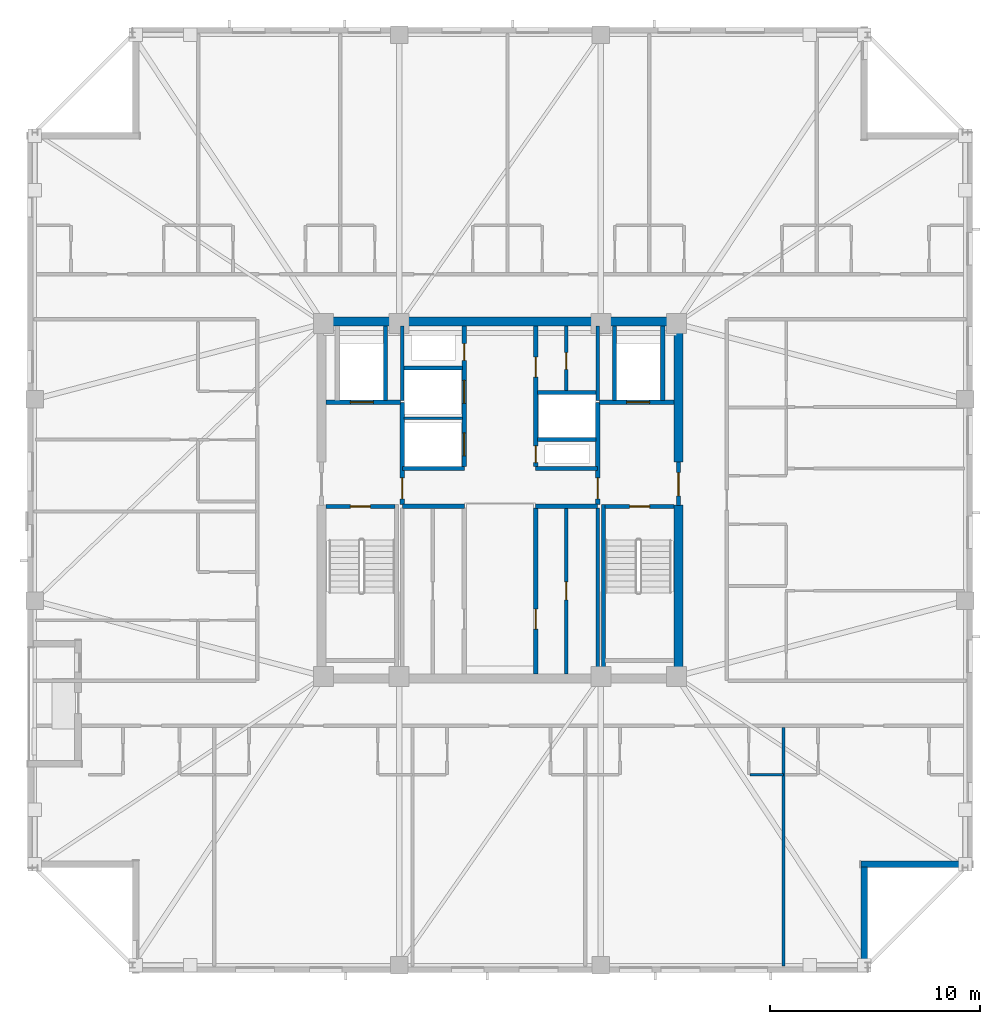
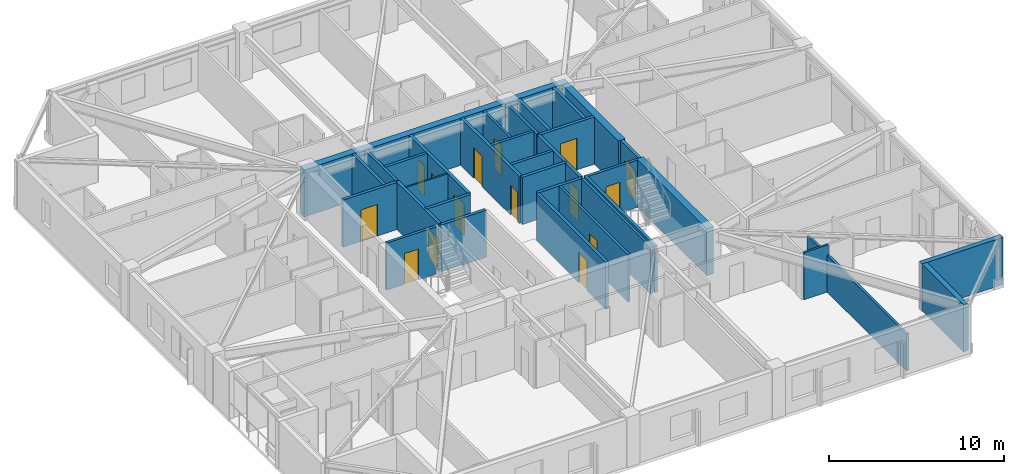
# One storey, part 9 of 17: 34 walls, 15 doors, 15 openings.
"""IFC4 building model written with IfcOpenShell, lengths in metres."""

from ifc_helpers import new_model, si_unit, direction, frame, frame_2d, origin, place, context, subcontext, project, spatial, rectangle, extrude, material, layer, layer_set, type_object, element, fill, save


model = new_model("IFC4")

# Units and contexts
model_context = context("Model", 3, precision=1e-05, world=origin(), true_north=direction((0.0, 1.0)))
body_context = subcontext(model_context, "Body", "Model", "MODEL_VIEW")
ifc_project = project(units=[si_unit("LENGTHUNIT", "METRE"), si_unit("AREAUNIT", "SQUARE_METRE"), si_unit("VOLUMEUNIT", "CUBIC_METRE"), si_unit("PLANEANGLEUNIT", "RADIAN"), si_unit("MASSUNIT", "GRAM", prefix="KILO")], contexts=[model_context])

# Site, building, storey
site_placement = place(None, origin())
site = spatial("IfcSite", under=ifc_project, at=site_placement, CompositionType="ELEMENT")
building_placement = place(site_placement, origin())
building = spatial("IfcBuilding", under=site, at=building_placement, Name="Cairnveth Concourse Tower", CompositionType="ELEMENT")
storey_placement = place(building_placement, frame((0.0, 0.0, 248.0)))
storey = spatial("IfcBuildingStorey", under=building, at=storey_placement, Name="L68", CompositionType="ELEMENT", Elevation=248.0)

# Wall
ifc_material_1 = material(Name="Gypsum Plasterboard Partition", Category="gypsum")
ifc_layer_1 = layer(ifc_material_1, 0.159912109375)
ifc_layer_set_1 = layer_set([ifc_layer_1], Name="Gypsum Plasterboard Partition")
wall_type_1 = type_object("IfcWallType", Name="ACOUSTIC PARTY WALL 180", PredefinedType="PARTITIONING", material=ifc_layer_set_1)
wall_1_placement = place(storey_placement, frame((56.64990234375, 30.7099609375, 0.0), z_axis=(0.0, 0.0, 1.0), x_axis=(0.0, 1.0, 0.0)))
element("IfcWall", 1, at=wall_1_placement, inside=storey, type_object=wall_type_1, Name="Interior Wall IW-L68-027", PredefinedType="PARTITIONING", context=body_context, shape_type="SweptSolid", body=[
    extrude(rectangle(XDim=7.905029296875, YDim=0.159912109375, at=frame_2d((3.95263671875, 0.0))), origin(), (0.0, 0.0, 1.0), 3.2900390625),
])

# Wall, opening, door
wall_2_placement = place(storey_placement, frame((55.14990234375, 30.7099609375, 0.0), z_axis=(0.0, 0.0, 1.0), x_axis=(0.0, 1.0, 0.0)))
wall_2 = element("IfcWall", 2, at=wall_2_placement, inside=storey, type_object=wall_type_1, Name="Interior Wall IW-L68-028", PredefinedType="PARTITIONING", context=body_context, shape_type="SweptSolid", body=[
    extrude(rectangle(XDim=7.905029296875, YDim=0.159912109375, at=frame_2d((3.95263671875, 0.0))), origin(), (0.0, 0.0, 1.0), 3.2900390625),
])
opening_1_placement = place(wall_2_placement, frame((3.5400390625, 0.0, 0.0)))
opening_1 = element("IfcOpeningElement", 3, at=opening_1_placement, cuts=wall_2, Name="Opening ID19", PredefinedType="OPENING", context=body_context, shape_type="SweptSolid", body=[
    extrude(rectangle(XDim=0.85009765625, YDim=2.1201171875, at=frame_2d((0.425048828125, 1.06005859375))), frame((0.0, 0.08984375, 0.0), z_axis=(0.0, -1.0, 0.0), x_axis=(1.0, 0.0, 0.0)), (0.0, 0.0, 1.0), 0.179931640625),
])
ifc_material_2 = material(Name="Steel Grade 350", Category="steel")
door_type_1 = type_object("IfcDoorType", Name="CORE SERVICE DOOR 850X2100", OperationType="NOTDEFINED", PredefinedType="DOOR", material=ifc_material_2)
door_1_placement = place(opening_1_placement, origin())
door_1 = element("IfcDoor", 4, at=door_1_placement, inside=storey, type_object=door_type_1, Name="Wine Cellar Door L68", OperationType="SINGLE_SWING_RIGHT", OverallHeight=2.1201171875, OverallWidth=0.85009765625, PredefinedType="DOOR", context=body_context, shape_type="SweptSolid", body=[
    extrude(rectangle(XDim=0.85009765625, YDim=2.1201171875, at=frame_2d((0.425048828125, 1.06005859375))), frame((0.0, 0.02490234375, 0.0), z_axis=(0.0, -1.0, 0.0), x_axis=(1.0, 0.0, 0.0)), (0.0, 0.0, 1.0), 0.050048828125),
])
fill(opening_1, door_1)

wall_3_placement = place(storey_placement, frame((55.14990234375, 44.195068359375, 0.0), z_axis=(0.0, 0.0, 1.0), x_axis=(0.0, 1.0, 0.0)))
wall_3 = element("IfcWall", 5, at=wall_3_placement, inside=storey, type_object=wall_type_1, Name="Interior Wall IW-L68-035", PredefinedType="PARTITIONING", context=body_context, shape_type="SweptSolid", body=[
    extrude(rectangle(XDim=3.094970703125, YDim=0.159912109375, at=frame_2d((1.54736328125, 0.0))), origin(), (0.0, 0.0, 1.0), 3.2900390625),
])
opening_2_placement = place(wall_3_placement, frame((1.02490234375, 0.0, 0.0)))
opening_2 = element("IfcOpeningElement", 6, at=opening_2_placement, cuts=wall_3, Name="Opening ID23", PredefinedType="OPENING", context=body_context, shape_type="SweptSolid", body=[
    extrude(rectangle(XDim=0.800048828125, YDim=2.10009765625, at=frame_2d((0.39990234375, 1.050048828125))), frame((0.0, 0.08984375, 0.0), z_axis=(0.0, -1.0, 0.0), x_axis=(1.0, 0.0, 0.0)), (0.0, 0.0, 1.0), 0.179931640625),
])
door_type_2 = type_object("IfcDoorType", Name="CORE SERVICE DOOR 800X2100", OperationType="NOTDEFINED", PredefinedType="DOOR", material=ifc_material_2)
door_2_placement = place(opening_2_placement, origin())
door_2 = element("IfcDoor", 7, at=door_2_placement, inside=storey, type_object=door_type_2, Name="NE Linen Closet Door L68", OperationType="SINGLE_SWING_RIGHT", OverallHeight=2.10009765625, OverallWidth=0.800048828125, PredefinedType="DOOR", context=body_context, shape_type="SweptSolid", body=[
    extrude(rectangle(XDim=0.800048828125, YDim=2.10009765625, at=frame_2d((0.39990234375, 1.050048828125))), frame((0.0, 0.02490234375, 0.0), z_axis=(0.0, -1.0, 0.0), x_axis=(1.0, 0.0, 0.0)), (0.0, 0.0, 1.0), 0.050048828125),
])
fill(opening_2, door_2)

# Walls
wall_4_placement = place(storey_placement, frame((65.49560546875, 16.804931640625, 0.0), z_axis=(0.0, 0.0, 1.0), x_axis=(0.0, 1.0, 0.0)))
element("IfcWall", 8, at=wall_4_placement, inside=storey, type_object=wall_type_1, Name="Interior Wall IW-L68-063", PredefinedType="PARTITIONING", context=body_context, shape_type="SweptSolid", body=[
    extrude(rectangle(XDim=11.36767578125, YDim=0.159912109375, at=frame_2d((5.683837890625, 0.0))), origin(), (0.0, 0.0, 1.0), 2.572998046875),
])
ifc_material_3 = material(Name="Concrete N65 (65 MPa)", Category="concrete")
ifc_layer_2 = layer(ifc_material_3, 0.449951171875)
ifc_layer_set_2 = layer_set([ifc_layer_2], Name="Concrete N65 (65 MPa)")
wall_type_2 = type_object("IfcWallType", Name="CORE SHEAR WALL 450", PredefinedType="SHEAR", material=ifc_layer_set_2)
wall_5_placement = place(storey_placement, frame((43.27490234375, 47.5, 0.0), z_axis=(0.0, 0.0, 1.0), x_axis=(1.0, 0.0, 0.0)))
element("IfcWall", 9, at=wall_5_placement, inside=storey, type_object=wall_type_2, Name="Core North Shear Wall L68", PredefinedType="SHEAR", context=body_context, shape_type="SweptSolid", body=[
    extrude(rectangle(XDim=17.4501953125, YDim=0.449951171875, at=frame_2d((8.72509765625, 0.0))), origin(), (0.0, 0.0, 1.0), 3.2900390625),
])
wall_6_placement = place(storey_placement, frame((60.5, 30.715087890625, 0.0), z_axis=(0.0, 0.0, 1.0), x_axis=(0.0, 1.0, 0.0)))
element("IfcWall", 10, at=wall_6_placement, inside=storey, type_object=wall_type_2, Name="Core East Shear Wall S L68", PredefinedType="SHEAR", context=body_context, shape_type="SweptSolid", body=[
    extrude(rectangle(XDim=8.034912109375, YDim=0.449951171875, at=frame_2d((4.017578125, 0.0))), origin(), (0.0, 0.0, 1.0), 3.2900390625),
])
wall_7_placement = place(storey_placement, frame((60.5, 40.800048828125, 0.0), z_axis=(0.0, 0.0, 1.0), x_axis=(0.0, 1.0, 0.0)))
element("IfcWall", 11, at=wall_7_placement, inside=storey, type_object=wall_type_2, Name="Core East Shear Wall N L68", PredefinedType="SHEAR", context=body_context, shape_type="SweptSolid", body=[
    extrude(rectangle(XDim=6.48486328125, YDim=0.449951171875, at=frame_2d((3.242431640625, 0.0))), origin(), (0.0, 0.0, 1.0), 3.2900390625),
])
ifc_material_4 = material(Name="Concrete N50 (50 MPa)", Category="concrete")
ifc_layer_3 = layer(ifc_material_4, 0.179931640625)
ifc_layer_set_3 = layer_set([ifc_layer_3], Name="Concrete N50 (50 MPa)")
wall_type_3 = type_object("IfcWallType", Name="FIRE SHAFT WALL 180", PredefinedType="SOLIDWALL", material=ifc_layer_set_3)
wall_8_placement = place(storey_placement, frame((47.35009765625, 43.735107421875, 0.0), z_axis=(0.0, 0.0, 1.0), x_axis=(0.0, 1.0, 0.0)))
element("IfcWall", 12, at=wall_8_placement, inside=storey, type_object=wall_type_3, Name="Interior Wall IW-L68-029", PredefinedType="SOLIDWALL", context=body_context, shape_type="SweptSolid", body=[
    extrude(rectangle(XDim=3.554931640625, YDim=0.179931640625, at=frame_2d((1.77734375, 0.0))), origin(), (0.0, 0.0, 1.0), 3.2900390625),
])
wall_9_placement = place(storey_placement, frame((47.425048828125, 45.280029296875, 0.0), z_axis=(0.0, 0.0, 1.0), x_axis=(1.0, 0.0, 0.0)))
element("IfcWall", 13, at=wall_9_placement, inside=storey, type_object=wall_type_3, Name="Interior Wall IW-L68-031", PredefinedType="SOLIDWALL", context=body_context, shape_type="SweptSolid", body=[
    extrude(rectangle(XDim=2.7900390625, YDim=0.179931640625, at=frame_2d((1.39501953125, 0.0))), origin(), (0.0, 0.0, 1.0), 3.2900390625),
])
wall_10_placement = place(storey_placement, frame((56.64990234375, 43.735107421875, 0.0), z_axis=(0.0, 0.0, 1.0), x_axis=(0.0, 1.0, 0.0)))
element("IfcWall", 14, at=wall_10_placement, inside=storey, type_object=wall_type_3, Name="Interior Wall IW-L68-032", PredefinedType="SOLIDWALL", context=body_context, shape_type="SweptSolid", body=[
    extrude(rectangle(XDim=3.554931640625, YDim=0.179931640625, at=frame_2d((1.77734375, 0.0))), origin(), (0.0, 0.0, 1.0), 3.2900390625),
])
wall_11_placement = place(storey_placement, frame((53.784912109375, 41.8798828125, 0.0), z_axis=(0.0, 0.0, 1.0), x_axis=(1.0, 0.0, 0.0)))
element("IfcWall", 15, at=wall_11_placement, inside=storey, type_object=wall_type_3, Name="Interior Wall IW-L68-033", PredefinedType="SOLIDWALL", context=body_context, shape_type="SweptSolid", body=[
    extrude(rectangle(XDim=2.780029296875, YDim=0.179931640625, at=frame_2d((1.39013671875, 0.0))), origin(), (0.0, 0.0, 1.0), 3.2900390625),
])
wall_12_placement = place(storey_placement, frame((53.784912109375, 44.1201171875, 0.0), z_axis=(0.0, 0.0, 1.0), x_axis=(1.0, 0.0, 0.0)))
element("IfcWall", 16, at=wall_12_placement, inside=storey, type_object=wall_type_3, Name="Interior Wall IW-L68-034", PredefinedType="SOLIDWALL", context=body_context, shape_type="SweptSolid", body=[
    extrude(rectangle(XDim=2.7900390625, YDim=0.179931640625, at=frame_2d((1.39501953125, 0.0))), origin(), (0.0, 0.0, 1.0), 3.2900390625),
])

# Wall, opening, door
wall_13_placement = place(storey_placement, frame((43.715087890625, 38.68994140625, 0.0), z_axis=(0.0, 0.0, 1.0), x_axis=(1.0, 0.0, 0.0)))
wall_13 = element("IfcWall", 17, at=wall_13_placement, inside=storey, type_object=wall_type_3, Name="Stair ST-1 Shaft Wall NEAR L68", PredefinedType="SOLIDWALL", context=body_context, shape_type="SweptSolid", body=[
    extrude(rectangle(XDim=3.280029296875, YDim=0.179931640625, at=frame_2d((1.64013671875, 0.0))), origin(), (0.0, 0.0, 1.0), 3.2900390625),
])
opening_3_placement = place(wall_13_placement, frame((1.1650390625, 0.0, 0.0)))
opening_3 = element("IfcOpeningElement", 18, at=opening_3_placement, cuts=wall_13, Name="Opening ID12", PredefinedType="OPENING", context=body_context, shape_type="SweptSolid", body=[
    extrude(rectangle(XDim=0.949951171875, YDim=2.14990234375, at=frame_2d((0.47509765625, 1.074951171875))), frame((0.0, 0.099853515625, 0.0), z_axis=(0.0, -1.0, 0.0), x_axis=(1.0, 0.0, 0.0)), (0.0, 0.0, 1.0), 0.199951171875),
])
door_type_3 = type_object("IfcDoorType", Name="FIRE STAIR DOOR 950X2150", OperationType="NOTDEFINED", PredefinedType="DOOR", material=ifc_material_2)
door_3_placement = place(opening_3_placement, origin())
door_3 = element("IfcDoor", 19, at=door_3_placement, inside=storey, type_object=door_type_3, Name="Stair ST-1 Fire Door L68", OperationType="SINGLE_SWING_LEFT", OverallHeight=2.14990234375, OverallWidth=0.949951171875, PredefinedType="DOOR", context=body_context, shape_type="SweptSolid", body=[
    extrude(rectangle(XDim=0.949951171875, YDim=2.14990234375, at=frame_2d((0.47509765625, 1.074951171875))), frame((0.0, 0.02490234375, 0.0), z_axis=(0.0, -1.0, 0.0), x_axis=(1.0, 0.0, 0.0)), (0.0, 0.0, 1.0), 0.050048828125),
])
fill(opening_3, door_3)

wall_14_placement = place(storey_placement, frame((57.0048828125, 38.68994140625, 0.0), z_axis=(0.0, 0.0, 1.0), x_axis=(1.0, 0.0, 0.0)))
wall_14 = element("IfcWall", 20, at=wall_14_placement, inside=storey, type_object=wall_type_3, Name="Stair ST-2 Shaft Wall NEAR L68", PredefinedType="SOLIDWALL", context=body_context, shape_type="SweptSolid", body=[
    extrude(rectangle(XDim=3.280029296875, YDim=0.179931640625, at=frame_2d((1.64013671875, 0.0))), origin(), (0.0, 0.0, 1.0), 3.2900390625),
])
opening_4_placement = place(wall_14_placement, frame((1.1650390625, 0.0, 0.0)))
opening_4 = element("IfcOpeningElement", 21, at=opening_4_placement, cuts=wall_14, Name="Opening ID12", PredefinedType="OPENING", context=body_context, shape_type="SweptSolid", body=[
    extrude(rectangle(XDim=0.949951171875, YDim=2.14990234375, at=frame_2d((0.47509765625, 1.074951171875))), frame((0.0, 0.099853515625, 0.0), z_axis=(0.0, -1.0, 0.0), x_axis=(1.0, 0.0, 0.0)), (0.0, 0.0, 1.0), 0.199951171875),
])
door_4_placement = place(opening_4_placement, origin())
door_4 = element("IfcDoor", 22, at=door_4_placement, inside=storey, type_object=door_type_3, Name="Stair ST-2 Fire Door L68", OperationType="SINGLE_SWING_RIGHT", OverallHeight=2.14990234375, OverallWidth=0.949951171875, PredefinedType="DOOR", context=body_context, shape_type="SweptSolid", body=[
    extrude(rectangle(XDim=0.949951171875, YDim=2.14990234375, at=frame_2d((0.47509765625, 1.074951171875))), frame((0.0, 0.02490234375, 0.0), z_axis=(0.0, -1.0, 0.0), x_axis=(1.0, 0.0, 0.0)), (0.0, 0.0, 1.0), 0.050048828125),
])
fill(opening_4, door_4)

# Walls
wall_15_placement = place(storey_placement, frame((56.929931640625, 38.780029296875, 0.0), z_axis=(0.0, 0.0, 1.0), x_axis=(0.0, -1.0, 0.0)))
element("IfcWall", 23, at=wall_15_placement, inside=storey, type_object=wall_type_3, Name="Stair ST-2 Shaft Wall LEFT L68", PredefinedType="SOLIDWALL", context=body_context, shape_type="SweptSolid", body=[
    extrude(rectangle(XDim=8.067138671875, YDim=0.179931640625, at=frame_2d((4.03369140625, 0.0))), origin(), (0.0, 0.0, 1.0), 3.2900390625),
])
ifc_layer_4 = layer(ifc_material_4, 0.199951171875)
ifc_layer_set_4 = layer_set([ifc_layer_4], Name="Concrete N50 (50 MPa)")
wall_type_4 = type_object("IfcWallType", Name="FIRE SHAFT WALL 200", PredefinedType="SOLIDWALL", material=ifc_layer_set_4)
for number, where, z_axis, x_axis, name in (
    (24, (47.35009765625, 38.699951171875, 0.0), (0.0, 0.0, 1.0), (1.0, 0.0, 0.0), "Interior Wall IW-L68-007"),
    (25, (47.35009765625, 40.5, 0.0), (0.0, 0.0, 1.0), (1.0, 0.0, 0.0), "Interior Wall IW-L68-008"),
    (26, (53.699951171875, 38.699951171875, 0.0), (0.0, 0.0, 1.0), (1.0, 0.0, 0.0), "Interior Wall IW-L68-009"),
    (27, (53.699951171875, 40.5, 0.0), (0.0, 0.0, 1.0), (1.0, 0.0, 0.0), "Interior Wall IW-L68-010"),
):
    element("IfcWall", number, at=place(storey_placement, frame(where, z_axis=z_axis, x_axis=x_axis)), inside=storey, type_object=wall_type_4, Name=name, PredefinedType="SOLIDWALL", context=body_context, shape_type="SweptSolid", body=[
        extrude(rectangle(XDim=2.949951171875, YDim=0.199951171875, at=frame_2d((1.47509765625, 0.0))), origin(), (0.0, 0.0, 1.0), 3.2900390625),
    ])

# Wall, opening, door
wall_16_placement = place(storey_placement, frame((53.699951171875, 30.7099609375, 0.0), z_axis=(0.0, 0.0, 1.0), x_axis=(0.0, 1.0, 0.0)))
wall_16 = element("IfcWall", 28, at=wall_16_placement, inside=storey, type_object=wall_type_4, Name="Interior Wall IW-L68-012", PredefinedType="SOLIDWALL", context=body_context, shape_type="SweptSolid", body=[
    extrude(rectangle(XDim=7.905029296875, YDim=0.199951171875, at=frame_2d((3.95263671875, 0.0))), origin(), (0.0, 0.0, 1.0), 3.2900390625),
])
opening_5_placement = place(wall_16_placement, frame((2.139892578125, 0.0, 0.0)))
opening_5 = element("IfcOpeningElement", 29, at=opening_5_placement, cuts=wall_16, Name="Opening ID25", PredefinedType="OPENING", context=body_context, shape_type="SweptSolid", body=[
    extrude(rectangle(XDim=0.949951171875, YDim=2.1201171875, at=frame_2d((0.47509765625, 1.06005859375))), frame((0.0, 0.10986328125, 0.0), z_axis=(0.0, -1.0, 0.0), x_axis=(1.0, 0.0, 0.0)), (0.0, 0.0, 1.0), 0.219970703125),
])
door_type_4 = type_object("IfcDoorType", Name="CORE ACCESSIBLE FIRE DOOR 950X2120", OperationType="NOTDEFINED", PredefinedType="DOOR", material=ifc_material_2)
door_5_placement = place(opening_5_placement, origin())
door_5 = element("IfcDoor", 30, at=door_5_placement, inside=storey, type_object=door_type_4, Name="Sky Restroom Door L68", OperationType="SINGLE_SWING_LEFT", OverallHeight=2.1201171875, OverallWidth=0.949951171875, PredefinedType="DOOR", context=body_context, shape_type="SweptSolid", body=[
    extrude(rectangle(XDim=0.949951171875, YDim=2.1201171875, at=frame_2d((0.47509765625, 1.06005859375))), frame((0.0, 0.02490234375, 0.0), z_axis=(0.0, -1.0, 0.0), x_axis=(1.0, 0.0, 0.0)), (0.0, 0.0, 1.0), 0.050048828125),
])
fill(opening_5, door_5)

# Wall, openings, doors
wall_17_placement = place(storey_placement, frame((50.300048828125, 40.5849609375, 0.0), z_axis=(0.0, 0.0, 1.0), x_axis=(0.0, 1.0, 0.0)))
wall_17 = element("IfcWall", 31, at=wall_17_placement, inside=storey, type_object=wall_type_4, Name="Interior Wall IW-L68-013", PredefinedType="SOLIDWALL", context=body_context, shape_type="SweptSolid", body=[
    extrude(rectangle(XDim=6.705078125, YDim=0.199951171875, at=frame_2d((3.3525390625, 0.0))), origin(), (0.0, 0.0, 1.0), 3.2900390625),
])
opening_6_placement = place(wall_17_placement, frame((0.514892578125, 0.0, 0.0)))
opening_6 = element("IfcOpeningElement", 32, at=opening_6_placement, cuts=wall_17, Name="Opening LD-1", PredefinedType="OPENING", context=body_context, shape_type="SweptSolid", body=[
    extrude(rectangle(XDim=1.10009765625, YDim=2.199951171875, at=frame_2d((0.550048828125, 1.10009765625))), frame((0.0, 0.10986328125, 0.0), z_axis=(0.0, -1.0, 0.0), x_axis=(1.0, 0.0, 0.0)), (0.0, 0.0, 1.0), 0.219970703125),
])
opening_7_placement = place(wall_17_placement, frame((3.014892578125, 0.0, 0.0)))
opening_7 = element("IfcOpeningElement", 33, at=opening_7_placement, cuts=wall_17, Name="Opening LD-1", PredefinedType="OPENING", context=body_context, shape_type="SweptSolid", body=[
    extrude(rectangle(XDim=1.10009765625, YDim=2.199951171875, at=frame_2d((0.550048828125, 1.10009765625))), frame((0.0, 0.10986328125, 0.0), z_axis=(0.0, -1.0, 0.0), x_axis=(1.0, 0.0, 0.0)), (0.0, 0.0, 1.0), 0.219970703125),
])
opening_8_placement = place(wall_17_placement, frame((5.06494140625, 0.0, 0.0)))
opening_8 = element("IfcOpeningElement", 34, at=opening_8_placement, cuts=wall_17, Name="Opening ID24", PredefinedType="OPENING", context=body_context, shape_type="SweptSolid", body=[
    extrude(rectangle(XDim=0.800048828125, YDim=2.080078125, at=frame_2d((0.39990234375, 1.0400390625))), frame((0.0, 0.10986328125, 0.0), z_axis=(0.0, -1.0, 0.0), x_axis=(1.0, 0.0, 0.0)), (0.0, 0.0, 1.0), 0.219970703125),
])
ifc_material_5 = material(Name="Architectural Bronze Anodised Aluminium 6063-T6", Category="aluminium")
door_type_5 = type_object("IfcDoorType", Name="LIFT LANDING DOOR 1100X2200", OperationType="SLIDING_TO_LEFT", PredefinedType="DOOR", material=ifc_material_5)
door_6_placement = place(opening_6_placement, origin())
door_6 = element("IfcDoor", 35, at=door_6_placement, inside=storey, type_object=door_type_5, Name="Lift PL7 Landing Door L68", OperationType="SLIDING_TO_LEFT", OverallHeight=2.199951171875, OverallWidth=1.10009765625, PredefinedType="DOOR", context=body_context, shape_type="SweptSolid", body=[
    extrude(rectangle(XDim=1.10009765625, YDim=2.199951171875, at=frame_2d((0.550048828125, 1.10009765625))), frame((0.0, 0.02490234375, 0.0), z_axis=(0.0, -1.0, 0.0), x_axis=(1.0, 0.0, 0.0)), (0.0, 0.0, 1.0), 0.050048828125),
])
fill(opening_6, door_6)
door_7_placement = place(opening_7_placement, origin())
door_7 = element("IfcDoor", 36, at=door_7_placement, inside=storey, type_object=door_type_5, Name="Lift PL8 Landing Door L68", OperationType="SLIDING_TO_LEFT", OverallHeight=2.199951171875, OverallWidth=1.10009765625, PredefinedType="DOOR", context=body_context, shape_type="SweptSolid", body=[
    extrude(rectangle(XDim=1.10009765625, YDim=2.199951171875, at=frame_2d((0.550048828125, 1.10009765625))), frame((0.0, 0.02490234375, 0.0), z_axis=(0.0, -1.0, 0.0), x_axis=(1.0, 0.0, 0.0)), (0.0, 0.0, 1.0), 0.050048828125),
])
fill(opening_7, door_7)
door_type_6 = type_object("IfcDoorType", Name="RISER ACCESS DOOR 800X2100", OperationType="NOTDEFINED", PredefinedType="DOOR", material=ifc_material_2)
door_8_placement = place(opening_8_placement, origin())
door_8 = element("IfcDoor", 37, at=door_8_placement, inside=storey, type_object=door_type_6, Name="NW Electrical Riser Access Door L68", OperationType="SINGLE_SWING_LEFT", OverallHeight=2.080078125, OverallWidth=0.800048828125, PredefinedType="DOOR", context=body_context, shape_type="SweptSolid", body=[
    extrude(rectangle(XDim=0.800048828125, YDim=2.080078125, at=frame_2d((0.39990234375, 1.0400390625))), frame((0.0, 0.02490234375, 0.0), z_axis=(0.0, -1.0, 0.0), x_axis=(1.0, 0.0, 0.0)), (0.0, 0.0, 1.0), 0.050048828125),
])
fill(opening_8, door_8)

wall_18_placement = place(storey_placement, frame((53.699951171875, 40.5849609375, 0.0), z_axis=(0.0, 0.0, 1.0), x_axis=(0.0, 1.0, 0.0)))
wall_18 = element("IfcWall", 38, at=wall_18_placement, inside=storey, type_object=wall_type_4, Name="Interior Wall IW-L68-014", PredefinedType="SOLIDWALL", context=body_context, shape_type="SweptSolid", body=[
    extrude(rectangle(XDim=6.705078125, YDim=0.199951171875, at=frame_2d((3.3525390625, 0.0))), origin(), (0.0, 0.0, 1.0), 3.2900390625),
])
opening_9_placement = place(wall_18_placement, frame((0.195068359375, 0.0, 0.0)))
opening_9 = element("IfcOpeningElement", 39, at=opening_9_placement, cuts=wall_18, Name="Opening ID24", PredefinedType="OPENING", context=body_context, shape_type="SweptSolid", body=[
    extrude(rectangle(XDim=0.800048828125, YDim=2.080078125, at=frame_2d((0.39990234375, 1.0400390625))), frame((0.0, 0.10986328125, 0.0), z_axis=(0.0, -1.0, 0.0), x_axis=(1.0, 0.0, 0.0)), (0.0, 0.0, 1.0), 0.219970703125),
])
opening_10_placement = place(wall_18_placement, frame((4.264892578125, 0.0, 0.0)))
opening_10 = element("IfcOpeningElement", 40, at=opening_10_placement, cuts=wall_18, Name="Opening ID25", PredefinedType="OPENING", context=body_context, shape_type="SweptSolid", body=[
    extrude(rectangle(XDim=0.949951171875, YDim=2.1201171875, at=frame_2d((0.47509765625, 1.06005859375))), frame((0.0, 0.10986328125, 0.0), z_axis=(0.0, -1.0, 0.0), x_axis=(1.0, 0.0, 0.0)), (0.0, 0.0, 1.0), 0.219970703125),
])
door_9_placement = place(opening_10_placement, origin())
door_9 = element("IfcDoor", 41, at=door_9_placement, inside=storey, type_object=door_type_4, Name="Core NE Restroom Door L68", OperationType="SINGLE_SWING_LEFT", OverallHeight=2.1201171875, OverallWidth=0.949951171875, PredefinedType="DOOR", context=body_context, shape_type="SweptSolid", body=[
    extrude(rectangle(XDim=0.949951171875, YDim=2.1201171875, at=frame_2d((0.47509765625, 1.06005859375))), frame((0.0, 0.02490234375, 0.0), z_axis=(0.0, -1.0, 0.0), x_axis=(1.0, 0.0, 0.0)), (0.0, 0.0, 1.0), 0.050048828125),
])
fill(opening_10, door_9)
door_10_placement = place(opening_9_placement, origin())
door_10 = element("IfcDoor", 42, at=door_10_placement, inside=storey, type_object=door_type_6, Name="Hydraulic Riser Door L68", OperationType="SINGLE_SWING_RIGHT", OverallHeight=2.080078125, OverallWidth=0.800048828125, PredefinedType="DOOR", context=body_context, shape_type="SweptSolid", body=[
    extrude(rectangle(XDim=0.800048828125, YDim=2.080078125, at=frame_2d((0.39990234375, 1.0400390625))), frame((0.0, 0.02490234375, 0.0), z_axis=(0.0, -1.0, 0.0), x_axis=(1.0, 0.0, 0.0)), (0.0, 0.0, 1.0), 0.050048828125),
])
fill(opening_9, door_10)

# Wall, opening, door
wall_19_placement = place(storey_placement, frame((47.35009765625, 38.784912109375, 0.0), z_axis=(0.0, 0.0, 1.0), x_axis=(0.0, 1.0, 0.0)))
wall_19 = element("IfcWall", 43, at=wall_19_placement, inside=storey, type_object=wall_type_4, Name="Interior Wall IW-L68-016", PredefinedType="SOLIDWALL", context=body_context, shape_type="SweptSolid", body=[
    extrude(rectangle(XDim=4.864990234375, YDim=0.199951171875, at=frame_2d((2.4326171875, 0.0))), origin(), (0.0, 0.0, 1.0), 3.2900390625),
])
opening_11_placement = place(wall_19_placement, frame((0.264892578125, 0.0, 0.0)))
opening_11 = element("IfcOpeningElement", 44, at=opening_11_placement, cuts=wall_19, Name="Opening ID07", PredefinedType="OPENING", context=body_context, shape_type="SweptSolid", body=[
    extrude(rectangle(XDim=1.0, YDim=2.14990234375, at=frame_2d((0.5, 1.074951171875))), frame((0.0, 0.10986328125, 0.0), z_axis=(0.0, -1.0, 0.0), x_axis=(1.0, 0.0, 0.0)), (0.0, 0.0, 1.0), 0.219970703125),
])
door_type_7 = type_object("IfcDoorType", Name="FIRE CORRIDOR DOOR 1000X2150", OperationType="NOTDEFINED", PredefinedType="DOOR", material=ifc_material_2)
door_11_placement = place(opening_11_placement, origin())
door_11 = element("IfcDoor", 45, at=door_11_placement, inside=storey, type_object=door_type_7, Name="FF Lobby West to Lift Lobby Door L68", OperationType="SINGLE_SWING_RIGHT", OverallHeight=2.14990234375, OverallWidth=1.0, PredefinedType="DOOR", context=body_context, shape_type="SweptSolid", body=[
    extrude(rectangle(XDim=1.0, YDim=2.14990234375, at=frame_2d((0.5, 1.074951171875))), frame((0.0, 0.02490234375, 0.0), z_axis=(0.0, -1.0, 0.0), x_axis=(1.0, 0.0, 0.0)), (0.0, 0.0, 1.0), 0.050048828125),
])
fill(opening_11, door_11)

wall_20_placement = place(storey_placement, frame((43.7099609375, 43.64990234375, 0.0), z_axis=(0.0, 0.0, 1.0), x_axis=(1.0, 0.0, 0.0)))
wall_20 = element("IfcWall", 46, at=wall_20_placement, inside=storey, type_object=wall_type_4, Name="Interior Wall IW-L68-017", PredefinedType="SOLIDWALL", context=body_context, shape_type="SweptSolid", body=[
    extrude(rectangle(XDim=3.554931640625, YDim=0.199951171875, at=frame_2d((1.77734375, 0.0))), origin(), (0.0, 0.0, 1.0), 3.2900390625),
])
opening_12_placement = place(wall_20_placement, frame((1.159912109375, 0.0, 0.0)))
opening_12 = element("IfcOpeningElement", 47, at=opening_12_placement, cuts=wall_20, Name="Opening LD-1", PredefinedType="OPENING", context=body_context, shape_type="SweptSolid", body=[
    extrude(rectangle(XDim=1.10009765625, YDim=2.199951171875, at=frame_2d((0.550048828125, 1.10009765625))), frame((0.0, 0.10986328125, 0.0), z_axis=(0.0, -1.0, 0.0), x_axis=(1.0, 0.0, 0.0)), (0.0, 0.0, 1.0), 0.219970703125),
])
door_12_placement = place(opening_12_placement, origin())
door_12 = element("IfcDoor", 48, at=door_12_placement, inside=storey, type_object=door_type_5, Name="Lift FFL1 Landing Door L68", OperationType="SLIDING_TO_LEFT", OverallHeight=2.199951171875, OverallWidth=1.10009765625, PredefinedType="DOOR", context=body_context, shape_type="SweptSolid", body=[
    extrude(rectangle(XDim=1.10009765625, YDim=2.199951171875, at=frame_2d((0.550048828125, 1.10009765625))), frame((0.0, 0.02490234375, 0.0), z_axis=(0.0, -1.0, 0.0), x_axis=(1.0, 0.0, 0.0)), (0.0, 0.0, 1.0), 0.050048828125),
])
fill(opening_12, door_12)

# Wall
wall_21_placement = place(storey_placement, frame((46.550048828125, 43.735107421875, 0.0), z_axis=(0.0, 0.0, 1.0), x_axis=(0.0, 1.0, 0.0)))
element("IfcWall", 49, at=wall_21_placement, inside=storey, type_object=wall_type_4, Name="Interior Wall IW-L68-018", PredefinedType="SOLIDWALL", context=body_context, shape_type="SweptSolid", body=[
    extrude(rectangle(XDim=3.554931640625, YDim=0.199951171875, at=frame_2d((1.77734375, 0.0))), origin(), (0.0, 0.0, 1.0), 3.2900390625),
])

# Wall, opening, door
wall_22_placement = place(storey_placement, frame((60.5, 38.75, 0.0), z_axis=(0.0, 0.0, 1.0), x_axis=(0.0, 1.0, 0.0)))
wall_22 = element("IfcWall", 50, at=wall_22_placement, inside=storey, type_object=wall_type_4, Name="Interior Wall IW-L68-020", PredefinedType="SOLIDWALL", context=body_context, shape_type="SweptSolid", body=[
    extrude(rectangle(XDim=2.050048828125, YDim=0.199951171875, at=frame_2d((1.02490234375, 0.0))), origin(), (0.0, 0.0, 1.0), 3.2900390625),
])
opening_13_placement = place(wall_22_placement, frame((0.449951171875, 0.0, 0.0)))
opening_13 = element("IfcOpeningElement", 51, at=opening_13_placement, cuts=wall_22, Name="Opening ID06", PredefinedType="OPENING", context=body_context, shape_type="SweptSolid", body=[
    extrude(rectangle(XDim=1.10009765625, YDim=2.14990234375, at=frame_2d((0.550048828125, 1.074951171875))), frame((0.0, 0.10986328125, 0.0), z_axis=(0.0, -1.0, 0.0), x_axis=(1.0, 0.0, 0.0)), (0.0, 0.0, 1.0), 0.219970703125),
])
door_type_8 = type_object("IfcDoorType", Name="FIRE CORRIDOR DOOR 1100X2150", OperationType="NOTDEFINED", PredefinedType="DOOR", material=ifc_material_2)
door_13_placement = place(opening_13_placement, origin())
door_13 = element("IfcDoor", 52, at=door_13_placement, inside=storey, type_object=door_type_8, Name="East Wing to FF Lobby Door L68", OperationType="SINGLE_SWING_RIGHT", OverallHeight=2.14990234375, OverallWidth=1.10009765625, PredefinedType="DOOR", context=body_context, shape_type="SweptSolid", body=[
    extrude(rectangle(XDim=1.10009765625, YDim=2.14990234375, at=frame_2d((0.550048828125, 1.074951171875))), frame((0.0, 0.02490234375, 0.0), z_axis=(0.0, -1.0, 0.0), x_axis=(1.0, 0.0, 0.0)), (0.0, 0.0, 1.0), 0.050048828125),
])
fill(opening_13, door_13)

wall_23_placement = place(storey_placement, frame((56.64990234375, 38.784912109375, 0.0), z_axis=(0.0, 0.0, 1.0), x_axis=(0.0, 1.0, 0.0)))
wall_23 = element("IfcWall", 53, at=wall_23_placement, inside=storey, type_object=wall_type_4, Name="Interior Wall IW-L68-021", PredefinedType="SOLIDWALL", context=body_context, shape_type="SweptSolid", body=[
    extrude(rectangle(XDim=4.864990234375, YDim=0.199951171875, at=frame_2d((2.4326171875, 0.0))), origin(), (0.0, 0.0, 1.0), 3.2900390625),
])
opening_14_placement = place(wall_23_placement, frame((0.264892578125, 0.0, 0.0)))
opening_14 = element("IfcOpeningElement", 54, at=opening_14_placement, cuts=wall_23, Name="Opening ID07", PredefinedType="OPENING", context=body_context, shape_type="SweptSolid", body=[
    extrude(rectangle(XDim=1.0, YDim=2.14990234375, at=frame_2d((0.5, 1.074951171875))), frame((0.0, 0.10986328125, 0.0), z_axis=(0.0, -1.0, 0.0), x_axis=(1.0, 0.0, 0.0)), (0.0, 0.0, 1.0), 0.219970703125),
])
door_14_placement = place(opening_14_placement, origin())
door_14 = element("IfcDoor", 55, at=door_14_placement, inside=storey, type_object=door_type_7, Name="FF Lobby East to Lift Lobby Door L68", OperationType="SINGLE_SWING_LEFT", OverallHeight=2.14990234375, OverallWidth=1.0, PredefinedType="DOOR", context=body_context, shape_type="SweptSolid", body=[
    extrude(rectangle(XDim=1.0, YDim=2.14990234375, at=frame_2d((0.5, 1.074951171875))), frame((0.0, 0.02490234375, 0.0), z_axis=(0.0, -1.0, 0.0), x_axis=(1.0, 0.0, 0.0)), (0.0, 0.0, 1.0), 0.050048828125),
])
fill(opening_14, door_14)

wall_24_placement = place(storey_placement, frame((56.735107421875, 43.64990234375, 0.0), z_axis=(0.0, 0.0, 1.0), x_axis=(1.0, 0.0, 0.0)))
wall_24 = element("IfcWall", 56, at=wall_24_placement, inside=storey, type_object=wall_type_4, Name="Interior Wall IW-L68-022", PredefinedType="SOLIDWALL", context=body_context, shape_type="SweptSolid", body=[
    extrude(rectangle(XDim=3.554931640625, YDim=0.199951171875, at=frame_2d((1.77734375, 0.0))), origin(), (0.0, 0.0, 1.0), 3.2900390625),
])
opening_15_placement = place(wall_24_placement, frame((1.294921875, 0.0, 0.0)))
opening_15 = element("IfcOpeningElement", 57, at=opening_15_placement, cuts=wall_24, Name="Opening LD-1", PredefinedType="OPENING", context=body_context, shape_type="SweptSolid", body=[
    extrude(rectangle(XDim=1.10009765625, YDim=2.199951171875, at=frame_2d((0.550048828125, 1.10009765625))), frame((0.0, 0.10986328125, 0.0), z_axis=(0.0, -1.0, 0.0), x_axis=(1.0, 0.0, 0.0)), (0.0, 0.0, 1.0), 0.219970703125),
])
door_15_placement = place(opening_15_placement, origin())
door_15 = element("IfcDoor", 58, at=door_15_placement, inside=storey, type_object=door_type_5, Name="Lift FFL2 Landing Door L68", OperationType="SLIDING_TO_LEFT", OverallHeight=2.199951171875, OverallWidth=1.10009765625, PredefinedType="DOOR", context=body_context, shape_type="SweptSolid", body=[
    extrude(rectangle(XDim=1.10009765625, YDim=2.199951171875, at=frame_2d((0.550048828125, 1.10009765625))), frame((0.0, 0.02490234375, 0.0), z_axis=(0.0, -1.0, 0.0), x_axis=(1.0, 0.0, 0.0)), (0.0, 0.0, 1.0), 0.050048828125),
])
fill(opening_15, door_15)

# Walls
for number, where, z_axis, x_axis, name in (
    (59, (57.449951171875, 43.735107421875, 0.0), (0.0, 0.0, 1.0), (0.0, 1.0, 0.0), "Interior Wall IW-L68-023"),
    (60, (59.75, 43.735107421875, 0.0), (0.0, 0.0, 1.0), (0.0, 1.0, 0.0), "Interior Wall IW-L68-024"),
):
    element("IfcWall", number, at=place(storey_placement, frame(where, z_axis=z_axis, x_axis=x_axis)), inside=storey, type_object=wall_type_4, Name=name, PredefinedType="SOLIDWALL", context=body_context, shape_type="SweptSolid", body=[
        extrude(rectangle(XDim=3.554931640625, YDim=0.199951171875, at=frame_2d((1.77734375, 0.0))), origin(), (0.0, 0.0, 1.0), 3.2900390625),
    ])
ifc_layer_5 = layer(ifc_material_1, 0.110107421875)
ifc_layer_set_5 = layer_set([ifc_layer_5], Name="Gypsum Plasterboard Partition")
wall_type_5 = type_object("IfcWallType", Name="SHAFT DIVIDER WALL 140", PredefinedType="PARTITIONING", material=ifc_layer_set_5)
wall_25_placement = place(storey_placement, frame((47.43505859375, 42.89990234375, 0.0), z_axis=(0.0, 0.0, 1.0), x_axis=(1.0, 0.0, 0.0)))
element("IfcWall", 61, at=wall_25_placement, inside=storey, type_object=wall_type_5, Name="Interior Wall IW-L68-030", PredefinedType="PARTITIONING", context=body_context, shape_type="SweptSolid", body=[
    extrude(rectangle(XDim=2.780029296875, YDim=0.110107421875, at=frame_2d((1.39013671875, 0.0))), origin(), (0.0, 0.0, 1.0), 3.2900390625),
])
ifc_layer_6 = layer(ifc_material_1, 0.1298828125)
ifc_layer_set_6 = layer_set([ifc_layer_6], Name="Gypsum Plasterboard Partition")
wall_type_6 = type_object("IfcWallType", Name="WET AREA PARTITION 140", PredefinedType="PLUMBINGWALL", material=ifc_layer_set_6)
wall_26_placement = place(storey_placement, frame((63.8955078125, 25.922607421875, 0.0), z_axis=(0.0, 0.0, 1.0), x_axis=(1.0, 0.0, 0.0)))
element("IfcWall", 62, at=wall_26_placement, inside=storey, type_object=wall_type_6, Name="Interior Wall IW-L68-062", PredefinedType="PLUMBINGWALL", context=body_context, shape_type="SweptSolid", body=[
    extrude(rectangle(XDim=1.60009765625, YDim=0.1298828125, at=frame_2d((0.800048828125, 0.0))), origin(), (0.0, 0.0, 1.0), 3.2900390625),
])
ifc_material_6 = material(Name="Melbourne Buff Fired Clay Brick Masonry", Category="masonry")
ifc_layer_7 = layer(ifc_material_6, 0.320068359375)
ifc_layer_set_7 = layer_set([ifc_layer_7], Name="Melbourne Buff Fired Clay Brick Masonry")
wall_type_7 = type_object("IfcWallType", Name="ZONE 3 BRICK PIER SPANDREL WALL 320", PredefinedType="SOLIDWALL", material=ifc_layer_set_7)
wall_27_placement = place(storey_placement, frame((74.5, 21.659912109375, 0.0), z_axis=(0.0, 0.0, 1.0), x_axis=(-1.0, 0.0, 0.0)))
element("IfcWall", 63, at=wall_27_placement, inside=storey, type_object=wall_type_7, Name="Exterior Wall EW-L68-S07", PredefinedType="SOLIDWALL", context=body_context, shape_type="SweptSolid", body=[
    extrude(rectangle(XDim=5.320068359375, YDim=0.320068359375, at=frame_2d((2.66015625, 0.0))), origin(), (0.0, 0.0, 1.0), 3.2900390625),
])
wall_28_placement = place(storey_placement, frame((69.340087890625, 21.52197265625, 0.0), z_axis=(0.0, 0.0, 1.0), x_axis=(0.0, -1.0, 0.0)))
element("IfcWall", 64, at=wall_28_placement, inside=storey, type_object=wall_type_7, Name="Exterior Wall EW-L68-S08", PredefinedType="SOLIDWALL", context=body_context, shape_type="SweptSolid", body=[
    extrude(rectangle(XDim=4.723876953125, YDim=0.320068359375, at=frame_2d((2.36181640625, 0.0))), origin(), (0.0, 0.0, 1.0), 3.2900390625),
])

save(model, "model.ifc")
